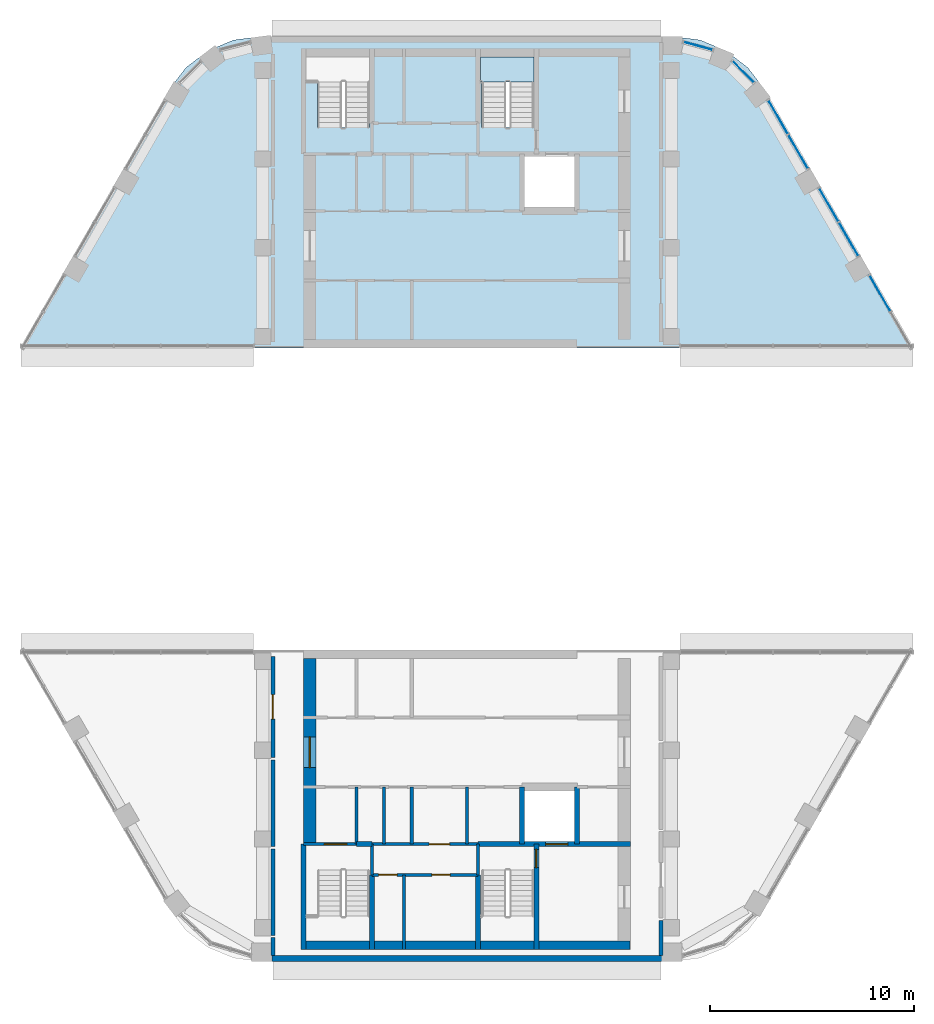
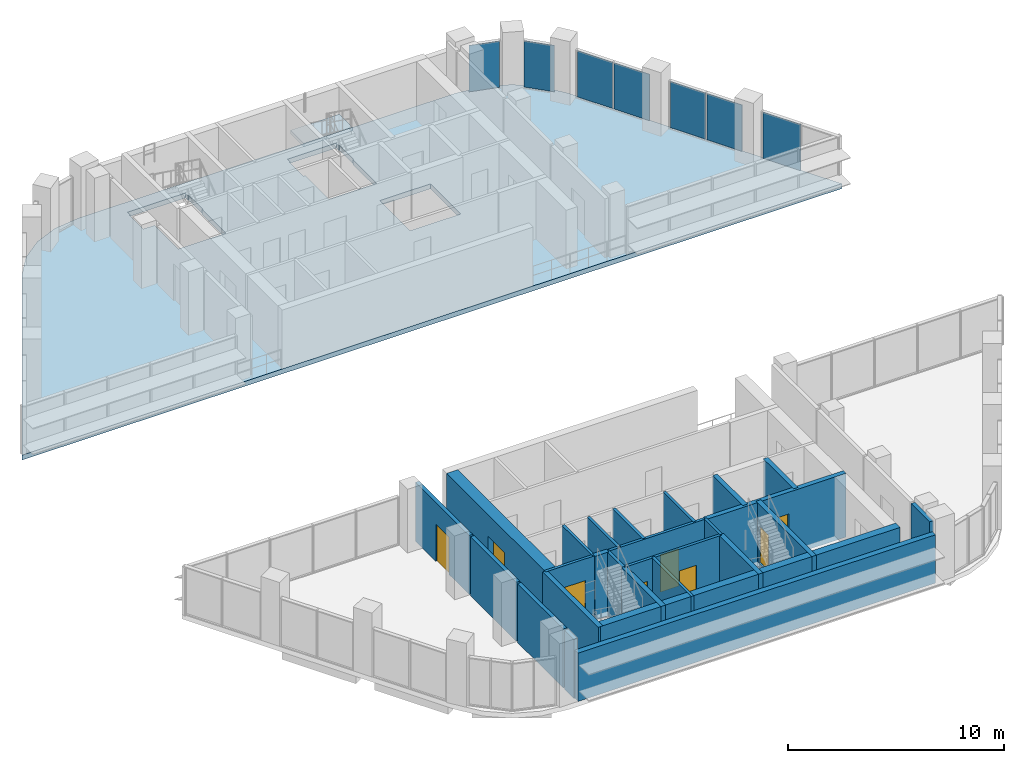
# One storey, part 9 of 15: 26 walls, 8 doors, 7 plates, 2 slabs, 8 openings, 6 elements without a shape of their own.
"""IFC4 building model written with IfcOpenShell, lengths in metres."""

from ifc_helpers import new_model, si_unit, direction, frame, frame_2d, origin, origin_2d, place, context, subcontext, project, spatial, polyline, rectangle, outline, extrude, material, layer, layer_set, type_object, element, fill, aggregate, save


model = new_model("IFC4")

# Units and contexts
model_context = context("Model", 3, precision=1e-05, world=origin(), true_north=direction((0.0, 1.0)))
body_context = subcontext(model_context, "Body", "Model", "MODEL_VIEW")
ifc_project = project(units=[si_unit("LENGTHUNIT", "METRE"), si_unit("AREAUNIT", "SQUARE_METRE"), si_unit("VOLUMEUNIT", "CUBIC_METRE"), si_unit("PLANEANGLEUNIT", "RADIAN"), si_unit("MASSUNIT", "GRAM", prefix="KILO")], contexts=[model_context])

# Site, building, storey
site_placement = place(None, origin())
site = spatial("IfcSite", under=ifc_project, at=site_placement, CompositionType="ELEMENT")
building_placement = place(site_placement, origin())
building = spatial("IfcBuilding", under=site, at=building_placement, Name="Nakaniwa Court", CompositionType="ELEMENT")
storey_placement = place(building_placement, frame((0.0, 0.0, 283.199951171875)))
storey = spatial("IfcBuildingStorey", under=building, at=storey_placement, Name="C04", CompositionType="ELEMENT", Elevation=283.199951171875)

# Slab
ifc_material_1 = material(Name="Concrete C80/100", Category="concrete")
ifc_layer_1 = layer(ifc_material_1, 0.27490234375)
ifc_layer_set_1 = layer_set([ifc_layer_1], Name="Concrete C80/100")
slab_type_1 = type_object("IfcSlabType", Name="Concrete C80/100 post tensioned floor slab 275", PredefinedType="FLOOR", material=ifc_layer_set_1)
slab_1_placement = place(storey_placement, frame((0.0, 0.0, -0.27490234375)))
element("IfcSlab", 1, at=slab_1_placement, inside=storey, type_object=slab_type_1, Name="FLOOR SLAB", PredefinedType="FLOOR", context=body_context, shape_type="SweptSolid", body=[
    extrude(outline(polyline([(66.248291015625, 101.126953125), (65.421875, 100.050048828125), (58.118408203125, 87.39990234375), (101.881591796875, 87.39990234375), (94.578125, 100.050048828125), (93.751708984375, 101.126953125), (92.6748046875, 101.953369140625), (91.420654296875, 102.472900390625), (90.07470703125, 102.64990234375), (69.92529296875, 102.64990234375), (68.579345703125, 102.472900390625), (67.3251953125, 101.953369140625), (66.248291015625, 101.126953125)]), holes=[polyline([(85.39990234375, 94.10009765625), (85.39990234375, 96.89990234375), (82.699951171875, 96.89990234375), (82.699951171875, 94.10009765625), (85.39990234375, 94.10009765625)]), polyline([(75.22509765625, 98.18994140625), (75.22509765625, 100.385009765625), (75.264892578125, 100.385009765625), (75.264892578125, 101.68994140625), (75.22509765625, 101.68994140625), (75.22509765625, 101.925048828125), (72.125, 101.925048828125), (72.125, 101.68994140625), (72.0849609375, 101.68994140625), (72.0849609375, 100.385009765625), (72.675048828125, 100.385009765625), (72.675048828125, 98.18994140625), (75.22509765625, 98.18994140625)]), polyline([(83.27490234375, 100.385009765625), (83.31494140625, 100.385009765625), (83.31494140625, 101.68994140625), (83.27490234375, 101.68994140625), (83.27490234375, 101.925048828125), (80.675048828125, 101.925048828125), (80.675048828125, 101.68994140625), (80.635009765625, 101.68994140625), (80.635009765625, 100.385009765625), (80.72509765625, 100.385009765625), (80.72509765625, 98.18994140625), (83.27490234375, 98.18994140625), (83.27490234375, 100.385009765625)])]), origin(), (0.0, 0.0, 1.0), 0.27490234375),
])

# Curtain wall, plate
ifc_material_2 = material(Name="Black anodised aluminium frame with dark low-E laminated double glazing", Category="aluminium")
ifc_layer_2 = layer(ifc_material_2, 0.199951171875)
ifc_layer_set_2 = layer_set([ifc_layer_2], Name="Black anodised aluminium frame with dark low-E laminated double glazing")
curtain_wall_type = type_object("IfcCurtainWallType", Name="Crown curtain wall", PredefinedType="NOTDEFINED", material=ifc_layer_set_2)
curtain_wall_1_placement = place(storey_placement, origin())
curtain_wall_1 = element("IfcCurtainWall", 2, at=curtain_wall_1_placement, inside=storey, type_object=curtain_wall_type, Name="C04 curtain wall CW4 18", PredefinedType="NOTDEFINED")
ifc_material_3 = material(Name="Dark toughened glass", Category="glass")
ifc_layer_3 = layer(ifc_material_3, 0.007, Name="Outer pane")
ifc_material_4 = material(Name="Argon filled cavity")
ifc_layer_4 = layer(ifc_material_4, 0.016, Name="Cavity")
ifc_material_5 = material(Name="Dark laminated safety glass", Category="glass")
ifc_layer_5 = layer(ifc_material_5, 0.007, Name="Inner pane")
ifc_layer_set_3 = layer_set([ifc_layer_3, ifc_layer_4, ifc_layer_5], Name="Dark low-E laminated double glazing")
plate_type = type_object("IfcPlateType", Name="Crown curtain wall glass panel", PredefinedType="CURTAIN_PANEL", material=ifc_layer_set_3)
plate_1_placement = place(storey_placement, frame((100.224609375, 90.06982421875, 0.05517578125), z_axis=(0.0, 0.0, 1.0), x_axis=(-0.500007626024, 0.866021000852, 0.0)))
plate_1 = element("IfcPlate", 3, at=plate_1_placement, type_object=plate_type, Name="CW4 panel 2.1", PredefinedType="CURTAIN_PANEL", context=body_context, shape_type="SweptSolid", body=[
    extrude(rectangle(XDim=2.007080078125, YDim=0.030029296875, at=origin_2d()), origin(), (0.0, 0.0, 1.0), 2.614990234375),
])
aggregate(curtain_wall_1, [plate_1])

# Curtain wall, plates
curtain_wall_2_placement = place(storey_placement, origin())
curtain_wall_2 = element("IfcCurtainWall", 4, at=curtain_wall_2_placement, inside=storey, type_object=curtain_wall_type, Name="C04 curtain wall CW4 19", PredefinedType="NOTDEFINED")
plate_2_placement = place(storey_placement, frame((98.693359375, 92.72216796875, 0.05517578125), z_axis=(0.0, 0.0, 1.0), x_axis=(-0.499986540445, 0.866033174523, 0.0)))
plate_2 = element("IfcPlate", 5, at=plate_2_placement, type_object=plate_type, Name="CW4 panel 1.1", PredefinedType="CURTAIN_PANEL", context=body_context, shape_type="SweptSolid", body=[
    extrude(rectangle(XDim=1.874755859375, YDim=0.030029296875, at=origin_2d()), origin(), (0.0, 0.0, 1.0), 2.614990234375),
])
plate_3_placement = place(storey_placement, frame((97.723388671875, 94.402099609375, 0.05517578125), z_axis=(0.0, 0.0, 1.0), x_axis=(-0.499986540445, 0.866033174523, 0.0)))
plate_3 = element("IfcPlate", 6, at=plate_3_placement, type_object=plate_type, Name="CW4 panel 2.1", PredefinedType="CURTAIN_PANEL", context=body_context, shape_type="SweptSolid", body=[
    extrude(rectangle(XDim=1.874755859375, YDim=0.030029296875, at=origin_2d()), origin(), (0.0, 0.0, 1.0), 2.614990234375),
])
aggregate(curtain_wall_2, [plate_2, plate_3])

curtain_wall_3_placement = place(storey_placement, origin())
curtain_wall_3 = element("IfcCurtainWall", 7, at=curtain_wall_3_placement, inside=storey, type_object=curtain_wall_type, Name="C04 curtain wall CW4 20", PredefinedType="NOTDEFINED")
plate_4_placement = place(storey_placement, frame((96.220703125, 97.004638671875, 0.05517578125), z_axis=(0.0, 0.0, 1.0), x_axis=(-0.499995809815, 0.866027822975, 0.0)))
plate_4 = element("IfcPlate", 8, at=plate_4_placement, type_object=plate_type, Name="CW4 panel 1.1", PredefinedType="CURTAIN_PANEL", context=body_context, shape_type="SweptSolid", body=[
    extrude(rectangle(XDim=1.892333984375, YDim=0.030029296875, at=origin_2d()), origin(), (0.0, 0.0, 1.0), 2.614990234375),
])
plate_5_placement = place(storey_placement, frame((95.2421875, 98.69970703125, 0.05517578125), z_axis=(0.0, 0.0, 1.0), x_axis=(-0.499995809815, 0.866027822975, 0.0)))
plate_5 = element("IfcPlate", 9, at=plate_5_placement, type_object=plate_type, Name="CW4 panel 2.1", PredefinedType="CURTAIN_PANEL", context=body_context, shape_type="SweptSolid", body=[
    extrude(rectangle(XDim=1.892333984375, YDim=0.030029296875, at=origin_2d()), origin(), (0.0, 0.0, 1.0), 2.614990234375),
])
aggregate(curtain_wall_3, [plate_4, plate_5])

# Curtain wall, plate
curtain_wall_4_placement = place(storey_placement, origin())
curtain_wall_4 = element("IfcCurtainWall", 10, at=curtain_wall_4_placement, inside=storey, type_object=curtain_wall_type, Name="C04 curtain wall CW4 21", PredefinedType="NOTDEFINED")
plate_6_placement = place(storey_placement, frame((93.536865234375, 100.9208984375, 0.05517578125), z_axis=(0.0, 0.0, 1.0), x_axis=(-0.699240623143, 0.714886390238, 0.0)))
plate_6 = element("IfcPlate", 11, at=plate_6_placement, type_object=plate_type, Name="CW4 panel 1.1", PredefinedType="CURTAIN_PANEL", context=body_context, shape_type="SweptSolid", body=[
    extrude(rectangle(XDim=1.4677734375, YDim=0.030029296875, at=origin_2d()), origin(), (0.0, 0.0, 1.0), 2.614990234375),
])
aggregate(curtain_wall_4, [plate_6])

curtain_wall_5_placement = place(storey_placement, origin())
curtain_wall_5 = element("IfcCurtainWall", 12, at=curtain_wall_5_placement, inside=storey, type_object=curtain_wall_type, Name="C04 curtain wall CW4 22", PredefinedType="NOTDEFINED")
plate_7_placement = place(storey_placement, frame((91.31591796875, 102.18505859375, 0.05517578125), z_axis=(0.0, 0.0, 1.0), x_axis=(-0.965375472235, 0.26086432797, 0.0)))
plate_7 = element("IfcPlate", 13, at=plate_7_placement, type_object=plate_type, Name="CW4 panel 1.1", PredefinedType="CURTAIN_PANEL", context=body_context, shape_type="SweptSolid", body=[
    extrude(rectangle(XDim=1.44775390625, YDim=0.030029296875, at=origin_2d()), origin(), (0.0, 0.0, 1.0), 2.614990234375),
])
aggregate(curtain_wall_5, [plate_7])

# Stair, slab
stair_type = type_object("IfcStairType", Name="Dog leg stair 1200 wide 20 risers", PredefinedType="HALF_TURN_STAIR", material=ifc_material_1)
stair_placement = place(storey_placement, origin())
stair = element("IfcStair", 14, at=stair_placement, inside=storey, type_object=stair_type, Name="C04 Stair ST2", PredefinedType="HALF_TURN_STAIR")
ifc_layer_6 = layer(ifc_material_1, 0.199951171875)
ifc_layer_set_4 = layer_set([ifc_layer_6], Name="Concrete C80/100")
slab_type_2 = type_object("IfcSlabType", Name="Stair landing concrete", PredefinedType="LANDING", material=ifc_layer_set_4)
slab_2_placement = place(storey_placement, frame((0.0, 0.0, 1.60009765625)))
slab_2 = element("IfcSlab", 15, at=slab_2_placement, type_object=slab_type_2, Name="ST2 landing 1", PredefinedType="LANDING", context=body_context, shape_type="SweptSolid", body=[
    extrude(outline(polyline([(83.27490234375, 100.425048828125), (83.27490234375, 101.64990234375), (80.675048828125, 101.64990234375), (80.675048828125, 100.425048828125), (83.27490234375, 100.425048828125)])), origin(), (0.0, 0.0, 1.0), 0.199951171875),
])
aggregate(stair, [slab_2])

# Walls
ifc_material_6 = material(Name="Acoustic double stud partition")
ifc_layer_7 = layer(ifc_material_6, 0.199951171875)
ifc_layer_set_5 = layer_set([ifc_layer_7], Name="Acoustic double stud partition")
wall_type_1 = type_object("IfcWallType", Name="Acoustic double stud partition 200", PredefinedType="PARTITIONING", material=ifc_layer_set_5)
wall_1_placement = place(storey_placement, frame((89.5, 57.64990234375, 0.0), z_axis=(0.0, 0.0, 1.0), x_axis=(0.0, 1.0, 0.0)))
element("IfcWall", 16, at=wall_1_placement, inside=storey, type_object=wall_type_1, Name="Partition PW-053", PredefinedType="PARTITIONING", context=body_context, shape_type="SweptSolid", body=[
    extrude(rectangle(XDim=1.713134765625, YDim=0.199951171875, at=frame_2d((0.8564453125, 0.0))), origin(), (0.0, 0.0, 1.0), 3.324951171875),
])
wall_2_placement = place(storey_placement, frame((70.5, 57.64990234375, 0.0), z_axis=(0.0, 0.0, 1.0), x_axis=(0.0, 1.0, 0.0)))
element("IfcWall", 17, at=wall_2_placement, inside=storey, type_object=wall_type_1, Name="Partition PW-061", PredefinedType="PARTITIONING", context=body_context, shape_type="SweptSolid", body=[
    extrude(rectangle(XDim=0.873046875, YDim=0.199951171875, at=frame_2d((0.4365234375, 0.0))), origin(), (0.0, 0.0, 1.0), 3.324951171875),
])
wall_3_placement = place(storey_placement, frame((70.5, 58.636962890625, 0.0), z_axis=(0.0, 0.0, 1.0), x_axis=(0.0, 1.0, 0.0)))
element("IfcWall", 18, at=wall_3_placement, inside=storey, type_object=wall_type_1, Name="Partition PW-062", PredefinedType="PARTITIONING", context=body_context, shape_type="SweptSolid", body=[
    extrude(rectangle(XDim=4.236083984375, YDim=0.199951171875, at=frame_2d((2.1181640625, 0.0))), origin(), (0.0, 0.0, 1.0), 3.324951171875),
])
wall_4_placement = place(storey_placement, frame((70.5, 62.987060546875, 0.0), z_axis=(0.0, 0.0, 1.0), x_axis=(0.0, 1.0, 0.0)))
element("IfcWall", 19, at=wall_4_placement, inside=storey, type_object=wall_type_1, Name="Partition PW-063", PredefinedType="PARTITIONING", context=body_context, shape_type="SweptSolid", body=[
    extrude(rectangle(XDim=4.23583984375, YDim=0.199951171875, at=frame_2d((2.117919921875, 0.0))), origin(), (0.0, 0.0, 1.0), 3.324951171875),
])

# Wall, opening, door
wall_5_placement = place(storey_placement, frame((70.5, 67.3369140625, 0.0), z_axis=(0.0, 0.0, 1.0), x_axis=(0.0, 1.0, 0.0)))
wall_5 = element("IfcWall", 20, at=wall_5_placement, inside=storey, type_object=wall_type_1, Name="Partition PW-064", PredefinedType="PARTITIONING", context=body_context, shape_type="SweptSolid", body=[
    extrude(rectangle(XDim=4.963134765625, YDim=0.199951171875, at=frame_2d((2.4814453125, 0.0))), origin(), (0.0, 0.0, 1.0), 3.324951171875),
])
opening_1_placement = place(wall_5_placement, frame((1.883056640625, 0.0, 0.0)))
opening_1 = element("IfcOpeningElement", 21, at=opening_1_placement, cuts=wall_5, Name="Opening D-30-03", PredefinedType="OPENING", context=body_context, shape_type="SweptSolid", body=[
    extrude(rectangle(XDim=1.199951171875, YDim=2.10009765625, at=frame_2d((0.60009765625, 1.050048828125))), frame((0.0, 0.10986328125, 0.0), z_axis=(0.0, -1.0, 0.0), x_axis=(1.0, 0.0, 0.0)), (0.0, 0.0, 1.0), 0.219970703125),
])
ifc_material_7 = material(Name="Solid core timber door set, black veneer", Category="wood")
door_type_1 = type_object("IfcDoorType", Name="Internal door 1200", OperationType="NOTDEFINED", PredefinedType="DOOR", material=ifc_material_7)
door_1_placement = place(opening_1_placement, origin())
door_1 = element("IfcDoor", 22, at=door_1_placement, inside=storey, type_object=door_type_1, Name="Door D-30-03 C04-031", OperationType="SINGLE_SWING_RIGHT", OverallHeight=2.10009765625, OverallWidth=1.199951171875, PredefinedType="DOOR", context=body_context, shape_type="SweptSolid", body=[
    extrude(rectangle(XDim=1.199951171875, YDim=2.10009765625, at=frame_2d((0.60009765625, 1.050048828125))), frame((0.0, 0.02490234375, 0.0), z_axis=(0.0, -1.0, 0.0), x_axis=(1.0, 0.0, 0.0)), (0.0, 0.0, 1.0), 0.050048828125),
])
fill(opening_1, door_1)

# Walls
ifc_material_8 = material(Name="Charcoal ceramic cladding")
ifc_layer_8 = layer(ifc_material_8, 0.02, Name="Ceramic cladding")
ifc_material_9 = material(Name="Ventilated air cavity")
ifc_layer_9 = layer(ifc_material_9, 0.04, ventilated=True, Name="Ventilated cavity")
ifc_material_10 = material(Name="Mineral wool insulation")
ifc_layer_10 = layer(ifc_material_10, 0.1, Name="Insulation")
ifc_material_11 = material(Name="Cement bonded sheathing board")
ifc_layer_11 = layer(ifc_material_11, 0.012, Name="Sheathing")
ifc_material_12 = material(Name="Cold-formed galvanised stud frame with mineral wool infill")
ifc_layer_12 = layer(ifc_material_12, 0.1, Name="Stud frame")
ifc_material_13 = material(Name="Fire-rated gypsum plasterboard lining")
ifc_layer_13 = layer(ifc_material_13, 0.028, Name="Lining")
ifc_layer_set_6 = layer_set([ifc_layer_8, ifc_layer_9, ifc_layer_10, ifc_layer_11, ifc_layer_12, ifc_layer_13], Name="Charcoal ceramic faced external wall system")
wall_type_2 = type_object("IfcWallType", Name="Black ceramic faced external wall 300", PredefinedType="SOLIDWALL", material=ifc_layer_set_6)
wall_6_placement = place(storey_placement, frame((70.45068359375, 57.5, 0.0), z_axis=(0.0, 0.0, 1.0), x_axis=(1.0, 0.0, 0.0)))
element("IfcWall", 23, at=wall_6_placement, inside=storey, type_object=wall_type_2, Name="C04 external wall 10", PredefinedType="SOLIDWALL", context=body_context, shape_type="SweptSolid", body=[
    extrude(rectangle(XDim=19.0927734375, YDim=0.300048828125, at=frame_2d((9.54638671875, 0.0))), origin(), (0.0, 0.0, 1.0), 2.72509765625),
])
ifc_material_14 = material(Name="Blockwork partition", Category="masonry")
ifc_layer_14 = layer(ifc_material_14, 0.14990234375)
ifc_layer_set_7 = layer_set([ifc_layer_14], Name="Blockwork partition")
wall_type_3 = type_object("IfcWallType", Name="Blockwork partition 150", PredefinedType="PARTITIONING", material=ifc_layer_set_7)
for number, where, z_axis, x_axis, name in (
    (24, (74.60009765625, 63.10009765625, 0.0), (0.0, 0.0, 1.0), (0.0, 1.0, 0.0), "Partition PW-027"),
    (25, (77.300048828125, 63.10009765625, 0.0), (0.0, 0.0, 1.0), (0.0, 1.0, 0.0), "Partition PW-031"),
    (26, (75.949951171875, 63.10009765625, 0.0), (0.0, 0.0, 1.0), (0.0, 1.0, 0.0), "Partition PW-038"),
):
    element("IfcWall", number, at=place(storey_placement, frame(where, z_axis=z_axis, x_axis=x_axis)), inside=storey, type_object=wall_type_3, Name=name, PredefinedType="PARTITIONING", context=body_context, shape_type="SweptSolid", body=[
        extrude(rectangle(XDim=2.7998046875, YDim=0.14990234375, at=frame_2d((1.39990234375, 0.0))), origin(), (0.0, 0.0, 1.0), 3.324951171875),
    ])

# Wall, opening, door
wall_7_placement = place(storey_placement, frame((80.552978515625, 63.10009765625, 0.0), z_axis=(0.0, 0.0, 1.0), x_axis=(-1.0, 0.0, 0.0)))
wall_7 = element("IfcWall", 27, at=wall_7_placement, inside=storey, type_object=wall_type_3, Name="Partition PW-041", PredefinedType="PARTITIONING", context=body_context, shape_type="SweptSolid", body=[
    extrude(rectangle(XDim=5.2060546875, YDim=0.14990234375, at=frame_2d((2.60302734375, 0.0))), origin(), (0.0, 0.0, 1.0), 3.324951171875),
])
opening_2_placement = place(wall_7_placement, frame((1.403076171875, 0.0, 0.0)))
opening_2 = element("IfcOpeningElement", 28, at=opening_2_placement, cuts=wall_7, Name="Opening D-23-02", PredefinedType="OPENING", context=body_context, shape_type="SweptSolid", body=[
    extrude(rectangle(XDim=1.0, YDim=2.10009765625, at=frame_2d((0.5, 1.050048828125))), frame((0.0, 0.0849609375, 0.0), z_axis=(0.0, -1.0, 0.0), x_axis=(1.0, 0.0, 0.0)), (0.0, 0.0, 1.0), 0.169921875),
])
ifc_material_15 = material(Name="Fire rated steel door set", Category="steel")
door_type_2 = type_object("IfcDoorType", Name="Service room door 1000", OperationType="NOTDEFINED", PredefinedType="DOOR", material=ifc_material_15)
door_2_placement = place(opening_2_placement, origin())
door_2 = element("IfcDoor", 29, at=door_2_placement, inside=storey, type_object=door_type_2, Name="Door D-23-02 C04-024", OperationType="SINGLE_SWING_LEFT", OverallHeight=2.10009765625, OverallWidth=1.0, PredefinedType="DOOR", context=body_context, shape_type="SweptSolid", body=[
    extrude(rectangle(XDim=1.0, YDim=2.10009765625, at=frame_2d((0.5, 1.050048828125))), frame((0.0, 0.02490234375, 0.0), z_axis=(0.0, -1.0, 0.0), x_axis=(1.0, 0.0, 0.0)), (0.0, 0.0, 1.0), 0.050048828125),
])
fill(opening_2, door_2)

# Wall
wall_8_placement = place(storey_placement, frame((80.0, 63.10009765625, 0.0), z_axis=(0.0, 0.0, 1.0), x_axis=(0.0, 1.0, 0.0)))
element("IfcWall", 30, at=wall_8_placement, inside=storey, type_object=wall_type_3, Name="Partition PW-042", PredefinedType="PARTITIONING", context=body_context, shape_type="SweptSolid", body=[
    extrude(rectangle(XDim=2.7998046875, YDim=0.14990234375, at=frame_2d((1.39990234375, 0.0))), origin(), (0.0, 0.0, 1.0), 3.324951171875),
])

# Wall, openings, doors
wall_9_placement = place(storey_placement, frame((80.550048828125, 61.60009765625, 0.0), z_axis=(0.0, 0.0, 1.0), x_axis=(-1.0, 0.0, 0.0)))
wall_9 = element("IfcWall", 31, at=wall_9_placement, inside=storey, type_object=wall_type_3, Name="Partition PW-051", PredefinedType="PARTITIONING", context=body_context, shape_type="SweptSolid", body=[
    extrude(rectangle(XDim=5.199951171875, YDim=0.14990234375, at=frame_2d((2.60009765625, 0.0))), origin(), (0.0, 0.0, 1.0), 3.324951171875),
])
opening_3_placement = place(wall_9_placement, frame((3.969970703125, 0.0, 0.0)))
opening_3 = element("IfcOpeningElement", 32, at=opening_3_placement, cuts=wall_9, Name="Opening D-05-17", PredefinedType="OPENING", context=body_context, shape_type="SweptSolid", body=[
    extrude(rectangle(XDim=0.89990234375, YDim=2.10009765625, at=frame_2d((0.449951171875, 1.050048828125))), frame((0.0, 0.0849609375, 0.0), z_axis=(0.0, -1.0, 0.0), x_axis=(1.0, 0.0, 0.0)), (0.0, 0.0, 1.0), 0.169921875),
])
opening_4_placement = place(wall_9_placement, frame((1.3701171875, 0.0, 0.0)))
opening_4 = element("IfcOpeningElement", 33, at=opening_4_placement, cuts=wall_9, Name="Opening D-05-18", PredefinedType="OPENING", context=body_context, shape_type="SweptSolid", body=[
    extrude(rectangle(XDim=0.89990234375, YDim=2.10009765625, at=frame_2d((0.449951171875, 1.050048828125))), frame((0.0, 0.0849609375, 0.0), z_axis=(0.0, -1.0, 0.0), x_axis=(1.0, 0.0, 0.0)), (0.0, 0.0, 1.0), 0.169921875),
])
door_type_3 = type_object("IfcDoorType", Name="Service room door 900", OperationType="NOTDEFINED", PredefinedType="DOOR", material=ifc_material_15)
door_3_placement = place(opening_3_placement, origin())
door_3 = element("IfcDoor", 34, at=door_3_placement, inside=storey, type_object=door_type_3, Name="Door D-05-17 C04-025", OperationType="SINGLE_SWING_RIGHT", OverallHeight=2.10009765625, OverallWidth=0.89990234375, PredefinedType="DOOR", context=body_context, shape_type="SweptSolid", body=[
    extrude(rectangle(XDim=0.89990234375, YDim=2.10009765625, at=frame_2d((0.449951171875, 1.050048828125))), frame((0.0, 0.02490234375, 0.0), z_axis=(0.0, -1.0, 0.0), x_axis=(1.0, 0.0, 0.0)), (0.0, 0.0, 1.0), 0.050048828125),
])
fill(opening_3, door_3)
door_4_placement = place(opening_4_placement, origin())
door_4 = element("IfcDoor", 35, at=door_4_placement, inside=storey, type_object=door_type_3, Name="Door D-05-18 C04-026", OperationType="SINGLE_SWING_LEFT", OverallHeight=2.10009765625, OverallWidth=0.89990234375, PredefinedType="DOOR", context=body_context, shape_type="SweptSolid", body=[
    extrude(rectangle(XDim=0.89990234375, YDim=2.10009765625, at=frame_2d((0.449951171875, 1.050048828125))), frame((0.0, 0.02490234375, 0.0), z_axis=(0.0, -1.0, 0.0), x_axis=(1.0, 0.0, 0.0)), (0.0, 0.0, 1.0), 0.050048828125),
])
fill(opening_4, door_4)

# Wall
wall_10_placement = place(storey_placement, frame((76.909912109375, 57.949951171875, 0.0), z_axis=(0.0, 0.0, 1.0), x_axis=(0.0, 1.0, 0.0)))
element("IfcWall", 36, at=wall_10_placement, inside=storey, type_object=wall_type_3, Name="Partition PW-052", PredefinedType="PARTITIONING", context=body_context, shape_type="SweptSolid", body=[
    extrude(rectangle(XDim=3.650146484375, YDim=0.14990234375, at=frame_2d((1.8251953125, 0.0))), origin(), (0.0, 0.0, 1.0), 3.324951171875),
])

# Wall, opening, door
ifc_layer_15 = layer(ifc_material_1, 0.60009765625)
ifc_layer_set_8 = layer_set([ifc_layer_15], Name="Concrete C80/100")
wall_type_4 = type_object("IfcWallType", Name="Concrete core side wall 600 C80", PredefinedType="SHEAR", material=ifc_layer_set_8)
wall_11_placement = place(storey_placement, frame((72.300048828125, 63.10009765625, -0.27490234375), z_axis=(0.0, 0.0, 1.0), x_axis=(0.0, 1.0, 0.0)))
wall_11 = element("IfcWall", 37, at=wall_11_placement, inside=storey, type_object=wall_type_4, Name="Core wall SW-30", PredefinedType="SHEAR", context=body_context, shape_type="SweptSolid", body=[
    extrude(rectangle(XDim=9.099853515625, YDim=0.60009765625, at=frame_2d((4.5498046875, 0.0))), origin(), (0.0, 0.0, 1.0), 3.599853515625),
])
opening_5_placement = place(wall_11_placement, frame((3.75, 0.0, 0.27490234375)))
opening_5 = element("IfcOpeningElement", 38, at=opening_5_placement, cuts=wall_11, Name="Opening D-07-04", PredefinedType="OPENING", context=body_context, shape_type="SweptSolid", body=[
    extrude(rectangle(XDim=1.5, YDim=2.10009765625, at=frame_2d((0.75, 1.050048828125))), frame((0.0, 0.31005859375, 0.0), z_axis=(0.0, -1.0, 0.0), x_axis=(1.0, 0.0, 0.0)), (0.0, 0.0, 1.0), 0.6201171875),
])
ifc_material_16 = material(Name="Glazed fire rated steel double door set", Category="steel")
door_type_4 = type_object("IfcDoorType", Name="Lobby double door 1500", OperationType="NOTDEFINED", PredefinedType="DOOR", material=ifc_material_16)
door_5_placement = place(opening_5_placement, origin())
door_5 = element("IfcDoor", 39, at=door_5_placement, inside=storey, type_object=door_type_4, Name="Door D-07-04 C04-037", OperationType="DOUBLE_DOOR_SINGLE_SWING", OverallHeight=2.10009765625, OverallWidth=1.5, PredefinedType="DOOR", context=body_context, shape_type="SweptSolid", body=[
    extrude(rectangle(XDim=1.5, YDim=2.10009765625, at=frame_2d((0.75, 1.050048828125))), frame((0.0, 0.02490234375, 0.0), z_axis=(0.0, -1.0, 0.0), x_axis=(1.0, 0.0, 0.0)), (0.0, 0.0, 1.0), 0.050048828125),
])
fill(opening_5, door_5)

ifc_layer_16 = layer(ifc_material_1, 0.14990234375)
ifc_layer_set_9 = layer_set([ifc_layer_16], Name="Concrete C80/100")
wall_type_5 = type_object("IfcWallType", Name="Concrete core wall 150 C80", PredefinedType="SHEAR", material=ifc_layer_set_9)
wall_12_placement = place(storey_placement, frame((72.0, 63.10009765625, -0.27490234375), z_axis=(0.0, 0.0, 1.0), x_axis=(1.0, 0.0, 0.0)))
wall_12 = element("IfcWall", 40, at=wall_12_placement, inside=storey, type_object=wall_type_5, Name="Core wall SW-37", PredefinedType="SHEAR", context=body_context, shape_type="SweptSolid", body=[
    extrude(rectangle(XDim=2.60009765625, YDim=0.14990234375, at=frame_2d((1.300048828125, 0.0))), origin(), (0.0, 0.0, 1.0), 3.599853515625),
])
opening_6_placement = place(wall_12_placement, frame((1.02001953125, 0.0, 0.27490234375)))
opening_6 = element("IfcOpeningElement", 41, at=opening_6_placement, cuts=wall_12, Name="Opening D-09-02", PredefinedType="OPENING", context=body_context, shape_type="SweptSolid", body=[
    extrude(rectangle(XDim=1.10009765625, YDim=2.10009765625, at=frame_2d((0.550048828125, 1.050048828125))), frame((0.0, 0.0849609375, 0.0), z_axis=(0.0, -1.0, 0.0), x_axis=(1.0, 0.0, 0.0)), (0.0, 0.0, 1.0), 0.169921875),
])
door_type_5 = type_object("IfcDoorType", Name="Stair door 1100", OperationType="NOTDEFINED", PredefinedType="DOOR", material=ifc_material_15)
door_6_placement = place(opening_6_placement, origin())
door_6 = element("IfcDoor", 42, at=door_6_placement, inside=storey, type_object=door_type_5, Name="Door D-09-02 C04-027", OperationType="SINGLE_SWING_LEFT", OverallHeight=2.10009765625, OverallWidth=1.10009765625, PredefinedType="DOOR", context=body_context, shape_type="SweptSolid", body=[
    extrude(rectangle(XDim=1.10009765625, YDim=2.10009765625, at=frame_2d((0.550048828125, 1.050048828125))), frame((0.0, 0.02490234375, 0.0), z_axis=(0.0, -1.0, 0.0), x_axis=(1.0, 0.0, 0.0)), (0.0, 0.0, 1.0), 0.050048828125),
])
fill(opening_6, door_6)

# Walls
for number, where, z_axis, x_axis, name in (
    (43, (75.35009765625, 61.596923828125, -0.27490234375), (0.0, 0.0, 1.0), (0.0, 1.0, 0.0), "Core wall SW-45"),
    (44, (80.550048828125, 61.596923828125, -0.27490234375), (0.0, 0.0, 1.0), (0.0, 1.0, 0.0), "Core wall SW-49"),
):
    element("IfcWall", number, at=place(storey_placement, frame(where, z_axis=z_axis, x_axis=x_axis)), inside=storey, type_object=wall_type_5, Name=name, PredefinedType="SHEAR", context=body_context, shape_type="SweptSolid", body=[
        extrude(rectangle(XDim=1.503173828125, YDim=0.14990234375, at=frame_2d((0.75146484375, 0.0))), origin(), (0.0, 0.0, 1.0), 3.599853515625),
    ])
ifc_layer_17 = layer(ifc_material_1, 0.25)
ifc_layer_set_10 = layer_set([ifc_layer_17], Name="Concrete C80/100")
wall_type_6 = type_object("IfcWallType", Name="Concrete core wall 250 C80", PredefinedType="SHEAR", material=ifc_layer_set_10)
wall_13_placement = place(storey_placement, frame((72.0, 57.949951171875, -0.27490234375), z_axis=(0.0, 0.0, 1.0), x_axis=(0.0, 1.0, 0.0)))
element("IfcWall", 45, at=wall_13_placement, inside=storey, type_object=wall_type_6, Name="Core wall SW-47", PredefinedType="SHEAR", context=body_context, shape_type="SweptSolid", body=[
    extrude(rectangle(XDim=5.150146484375, YDim=0.25, at=frame_2d((2.5751953125, 0.0))), origin(), (0.0, 0.0, 1.0), 3.599853515625),
])
ifc_layer_18 = layer(ifc_material_1, 0.39990234375)
ifc_layer_set_11 = layer_set([ifc_layer_18], Name="Concrete C80/100")
wall_type_7 = type_object("IfcWallType", Name="Concrete core wall 400 C80", PredefinedType="SHEAR", material=ifc_layer_set_11)
wall_14_placement = place(storey_placement, frame((72.00390625, 58.14990234375, -0.27490234375), z_axis=(0.0, 0.0, 1.0), x_axis=(1.0, 0.0, 0.0)))
element("IfcWall", 46, at=wall_14_placement, inside=storey, type_object=wall_type_7, Name="Core wall SW-76", PredefinedType="SHEAR", context=body_context, shape_type="SweptSolid", body=[
    extrude(rectangle(XDim=15.9921875, YDim=0.39990234375, at=frame_2d((7.99609375, 0.0))), origin(), (0.0, 0.0, 1.0), 3.599853515625),
])
ifc_layer_19 = layer(ifc_material_1, 0.25)
ifc_layer_set_12 = layer_set([ifc_layer_19], Name="Concrete C80/100")
wall_type_8 = type_object("IfcWallType", Name="Concrete shaft wall 250 C80", PredefinedType="SHEAR", material=ifc_layer_set_12)
wall_15_placement = place(storey_placement, frame((74.60009765625, 63.10009765625, -0.27490234375), z_axis=(0.0, 0.0, 1.0), x_axis=(1.0, 0.0, 0.0)))
element("IfcWall", 47, at=wall_15_placement, inside=storey, type_object=wall_type_8, Name="Core wall SW-39", PredefinedType="SHEAR", context=body_context, shape_type="SweptSolid", body=[
    extrude(rectangle(XDim=0.7529296875, YDim=0.25, at=frame_2d((0.37646484375, 0.0))), origin(), (0.0, 0.0, 1.0), 3.599853515625),
])

# Wall, opening, door
wall_16_placement = place(storey_placement, frame((80.547119140625, 63.10009765625, -0.27490234375), z_axis=(0.0, 0.0, 1.0), x_axis=(1.0, 0.0, 0.0)))
wall_16 = element("IfcWall", 48, at=wall_16_placement, inside=storey, type_object=wall_type_8, Name="Core wall SW-40", PredefinedType="SHEAR", context=body_context, shape_type="SweptSolid", body=[
    extrude(rectangle(XDim=7.452880859375, YDim=0.25, at=frame_2d((3.7265625, 0.0))), origin(), (0.0, 0.0, 1.0), 3.599853515625),
])
opening_7_placement = place(wall_16_placement, frame((3.302001953125, 0.0, 0.27490234375)))
opening_7 = element("IfcOpeningElement", 49, at=opening_7_placement, cuts=wall_16, Name="Opening LD02", PredefinedType="OPENING", context=body_context, shape_type="SweptSolid", body=[
    extrude(rectangle(XDim=1.10009765625, YDim=2.10009765625, at=frame_2d((0.550048828125, 1.050048828125))), frame((0.0, 0.135009765625, 0.0), z_axis=(0.0, -1.0, 0.0), x_axis=(1.0, 0.0, 0.0)), (0.0, 0.0, 1.0), 0.27001953125),
])
ifc_material_17 = material(Name="Stainless steel sliding lift landing door", Category="steel")
door_type_6 = type_object("IfcDoorType", Name="Lift landing door 1100", OperationType="NOTDEFINED", PredefinedType="DOOR", material=ifc_material_17)
door_7_placement = place(opening_7_placement, origin())
door_7 = element("IfcDoor", 50, at=door_7_placement, inside=storey, type_object=door_type_6, Name="Lift landing door LD02 C04-002", OperationType="SLIDING_TO_LEFT", OverallHeight=2.10009765625, OverallWidth=1.10009765625, PredefinedType="DOOR", context=body_context, shape_type="SweptSolid", body=[
    extrude(rectangle(XDim=1.10009765625, YDim=2.10009765625, at=frame_2d((0.550048828125, 1.050048828125))), frame((0.0, 0.02490234375, 0.0), z_axis=(0.0, -1.0, 0.0), x_axis=(1.0, 0.0, 0.0)), (0.0, 0.0, 1.0), 0.050048828125),
])
fill(opening_7, door_7)

# Walls
for number, where, z_axis, x_axis, name in (
    (51, (82.699951171875, 63.10009765625, -0.27490234375), (0.0, 0.0, 1.0), (0.0, 1.0, 0.0), "Core wall SW-43"),
    (52, (85.39990234375, 63.10009765625, -0.27490234375), (0.0, 0.0, 1.0), (0.0, 1.0, 0.0), "Core wall SW-44"),
):
    element("IfcWall", number, at=place(storey_placement, frame(where, z_axis=z_axis, x_axis=x_axis)), inside=storey, type_object=wall_type_8, Name=name, PredefinedType="SHEAR", context=body_context, shape_type="SweptSolid", body=[
        extrude(rectangle(XDim=2.7998046875, YDim=0.25, at=frame_2d((1.39990234375, 0.0))), origin(), (0.0, 0.0, 1.0), 3.599853515625),
    ])
wall_17_placement = place(storey_placement, frame((75.35009765625, 57.949951171875, -0.27490234375), z_axis=(0.0, 0.0, 1.0), x_axis=(0.0, 1.0, 0.0)))
element("IfcWall", 53, at=wall_17_placement, inside=storey, type_object=wall_type_8, Name="Core wall SW-46", PredefinedType="SHEAR", context=body_context, shape_type="SweptSolid", body=[
    extrude(rectangle(XDim=3.653076171875, YDim=0.25, at=frame_2d((1.82666015625, 0.0))), origin(), (0.0, 0.0, 1.0), 3.599853515625),
])

# Wall, opening, door
wall_18_placement = place(storey_placement, frame((83.39990234375, 63.10009765625, -0.27490234375), z_axis=(0.0, 0.0, 1.0), x_axis=(0.0, -1.0, 0.0)))
wall_18 = element("IfcWall", 54, at=wall_18_placement, inside=storey, type_object=wall_type_8, Name="Core wall SW-48", PredefinedType="SHEAR", context=body_context, shape_type="SweptSolid", body=[
    extrude(rectangle(XDim=5.150146484375, YDim=0.25, at=frame_2d((2.5751953125, 0.0))), origin(), (0.0, 0.0, 1.0), 3.599853515625),
])
opening_8_placement = place(wall_18_placement, frame((0.25, 0.0, 0.27490234375)))
opening_8 = element("IfcOpeningElement", 55, at=opening_8_placement, cuts=wall_18, Name="Opening D-11-02", PredefinedType="OPENING", context=body_context, shape_type="SweptSolid", body=[
    extrude(rectangle(XDim=0.89990234375, YDim=2.10009765625, at=frame_2d((0.449951171875, 1.050048828125))), frame((0.0, 0.135009765625, 0.0), z_axis=(0.0, -1.0, 0.0), x_axis=(1.0, 0.0, 0.0)), (0.0, 0.0, 1.0), 0.27001953125),
])
door_type_7 = type_object("IfcDoorType", Name="Stair door 900", OperationType="NOTDEFINED", PredefinedType="DOOR", material=ifc_material_15)
door_8_placement = place(opening_8_placement, origin())
door_8 = element("IfcDoor", 56, at=door_8_placement, inside=storey, type_object=door_type_7, Name="Door D-11-02 C04-028", OperationType="SINGLE_SWING_RIGHT", OverallHeight=2.10009765625, OverallWidth=0.89990234375, PredefinedType="DOOR", context=body_context, shape_type="SweptSolid", body=[
    extrude(rectangle(XDim=0.89990234375, YDim=2.10009765625, at=frame_2d((0.449951171875, 1.050048828125))), frame((0.0, 0.02490234375, 0.0), z_axis=(0.0, -1.0, 0.0), x_axis=(1.0, 0.0, 0.0)), (0.0, 0.0, 1.0), 0.050048828125),
])
fill(opening_8, door_8)

# Wall
wall_19_placement = place(storey_placement, frame((80.550048828125, 57.949951171875, -0.27490234375), z_axis=(0.0, 0.0, 1.0), x_axis=(0.0, 1.0, 0.0)))
element("IfcWall", 57, at=wall_19_placement, inside=storey, type_object=wall_type_8, Name="Core wall SW-50", PredefinedType="SHEAR", context=body_context, shape_type="SweptSolid", body=[
    extrude(rectangle(XDim=3.653076171875, YDim=0.25, at=frame_2d((1.82666015625, 0.0))), origin(), (0.0, 0.0, 1.0), 3.599853515625),
])

save(model, "model.ifc")
